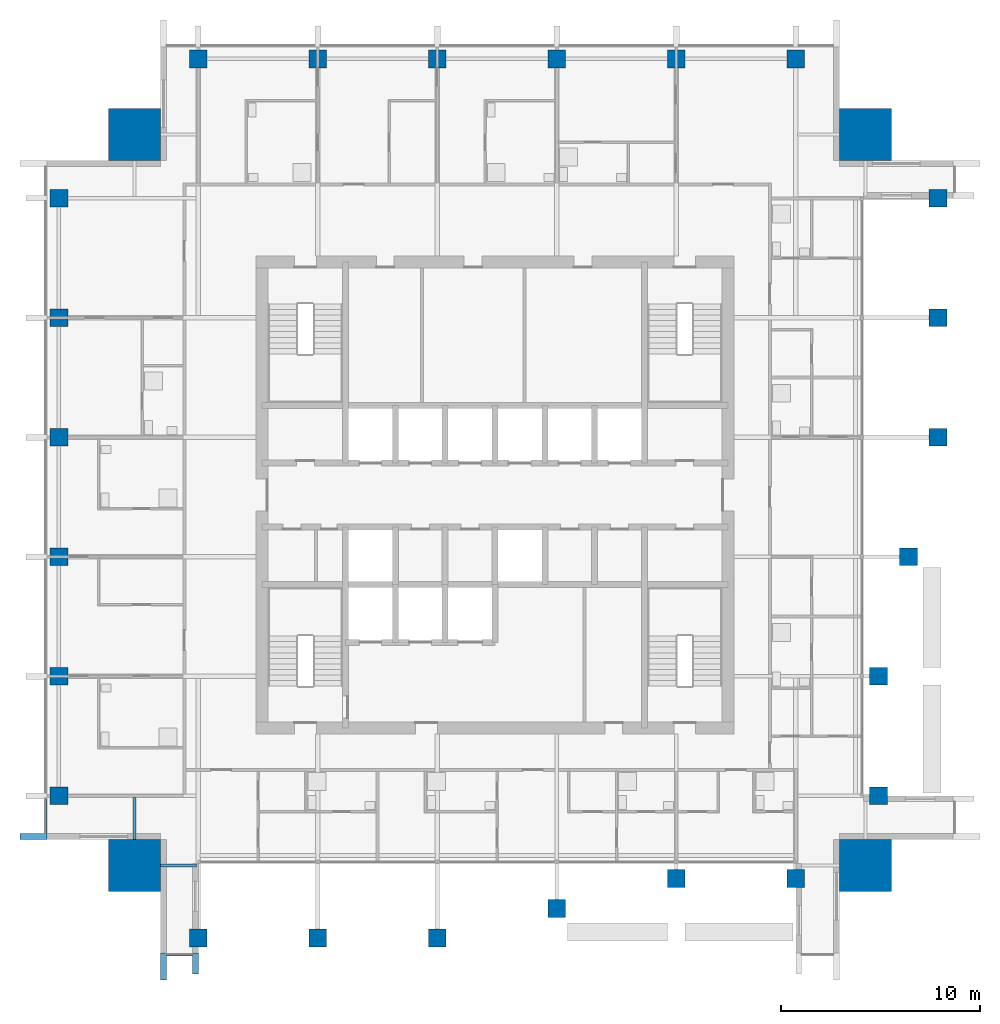
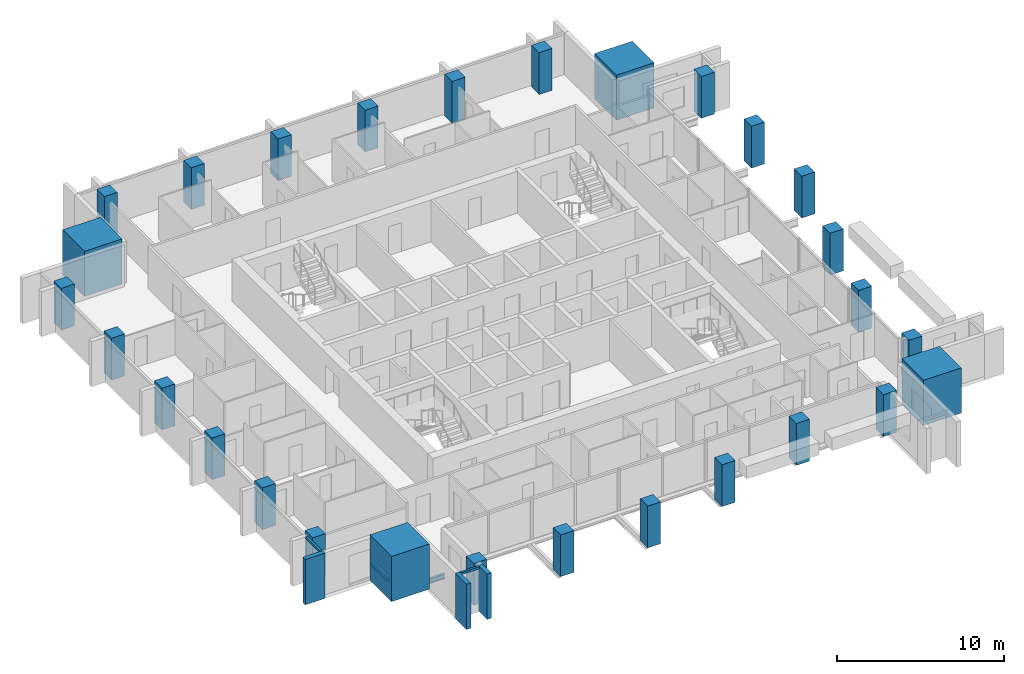
# One storey, part 1 of 14: 28 columns, 5 members, 2 beams, 2 elements without a shape of their own.
"""IFC4 building model written with IfcOpenShell, lengths in metres."""

from ifc_helpers import new_model, si_unit, direction, frame, origin, origin_2d, place, context, subcontext, project, spatial, rectangle, i_section, extrude, material, material_profile, profile_set, type_object, element, aggregate, save


model = new_model("IFC4")

# Units and contexts
model_context = context("Model", 3, precision=1e-05, world=origin(), true_north=direction((0.0, 1.0)))
body_context = subcontext(model_context, "Body", "Model", "MODEL_VIEW")
ifc_project = project(units=[si_unit("LENGTHUNIT", "METRE"), si_unit("AREAUNIT", "SQUARE_METRE"), si_unit("VOLUMEUNIT", "CUBIC_METRE"), si_unit("PLANEANGLEUNIT", "RADIAN"), si_unit("MASSUNIT", "GRAM", prefix="KILO")], contexts=[model_context])

# Site, building, storey
site_placement = place(None, origin())
site = spatial("IfcSite", under=ifc_project, at=site_placement, CompositionType="ELEMENT")
building_placement = place(site_placement, origin())
building = spatial("IfcBuilding", under=site, at=building_placement, Name="Amberfall Residences", CompositionType="ELEMENT")
storey_placement = place(building_placement, frame((0.0, 0.0, 220.0)))
storey = spatial("IfcBuildingStorey", under=building, at=storey_placement, Name="L59", CompositionType="ELEMENT", Elevation=220.0)

# Columns
ifc_material_1 = material(Name="Concrete C55", Category="concrete")
ifc_material_profile_1 = material_profile(ifc_material_1, rectangle(XDim=0.89990234375, YDim=0.89990234375, at=origin_2d()), Name="Column 900 x 900 C55")
ifc_profile_set_1 = profile_set([ifc_material_profile_1], Name="Concrete C55")
column_type_1 = type_object("IfcColumnType", Name="Column 900 x 900 C55", PredefinedType="COLUMN", material=ifc_profile_set_1)
for number, where, z_axis, x_axis, name in (
    (1, (59.60009765625, 23.25, 0.0), (0.0, 0.0, 1.0), (1.0, 0.0, 0.0), "Column C4 L59 S1"),
    (2, (65.60009765625, 23.25, 0.0), (0.0, 0.0, 1.0), (1.0, 0.0, 0.0), "Column C4 L59 S2"),
    (3, (71.60009765625, 23.25, 0.0), (0.0, 0.0, 1.0), (1.0, 0.0, 0.0), "Column C4 L59 S3"),
    (4, (77.60009765625, 24.75, 0.0), (0.0, 0.0, 1.0), (1.0, 0.0, 0.0), "Column C4 L59 S4"),
    (5, (83.60009765625, 26.25, 0.0), (0.0, 0.0, 1.0), (1.0, 0.0, 0.0), "Column C4 L59 S5"),
    (6, (89.60009765625, 26.25, 0.0), (0.0, 0.0, 1.0), (1.0, 0.0, 0.0), "Column C4 L59 S6"),
    (7, (93.75, 30.39990234375, 0.0), (0.0, 0.0, 1.0), (1.0, 0.0, 0.0), "Column C4 L59 E1"),
    (8, (93.75, 36.39990234375, 0.0), (0.0, 0.0, 1.0), (1.0, 0.0, 0.0), "Column C4 L59 E2"),
    (9, (95.25, 42.39990234375, 0.0), (0.0, 0.0, 1.0), (1.0, 0.0, 0.0), "Column C4 L59 E3"),
    (10, (96.75, 48.39990234375, 0.0), (0.0, 0.0, 1.0), (1.0, 0.0, 0.0), "Column C4 L59 E4"),
    (11, (96.75, 54.39990234375, 0.0), (0.0, 0.0, 1.0), (1.0, 0.0, 0.0), "Column C4 L59 E5"),
    (12, (96.75, 60.39990234375, 0.0), (0.0, 0.0, 1.0), (1.0, 0.0, 0.0), "Column C4 L59 E6"),
    (13, (59.60009765625, 67.39990234375, 0.0), (0.0, 0.0, 1.0), (1.0, 0.0, 0.0), "Column C4 L59 N1"),
    (14, (65.60009765625, 67.39990234375, 0.0), (0.0, 0.0, 1.0), (1.0, 0.0, 0.0), "Column C4 L59 N2"),
    (15, (71.60009765625, 67.39990234375, 0.0), (0.0, 0.0, 1.0), (1.0, 0.0, 0.0), "Column C4 L59 N3"),
    (16, (77.60009765625, 67.39990234375, 0.0), (0.0, 0.0, 1.0), (1.0, 0.0, 0.0), "Column C4 L59 N4"),
    (17, (83.60009765625, 67.39990234375, 0.0), (0.0, 0.0, 1.0), (1.0, 0.0, 0.0), "Column C4 L59 N5"),
    (18, (89.60009765625, 67.39990234375, 0.0), (0.0, 0.0, 1.0), (1.0, 0.0, 0.0), "Column C4 L59 N6"),
    (19, (52.60009765625, 30.39990234375, 0.0), (0.0, 0.0, 1.0), (1.0, 0.0, 0.0), "Column C4 L59 W1"),
    (20, (52.60009765625, 36.39990234375, 0.0), (0.0, 0.0, 1.0), (1.0, 0.0, 0.0), "Column C4 L59 W2"),
    (21, (52.60009765625, 42.39990234375, 0.0), (0.0, 0.0, 1.0), (1.0, 0.0, 0.0), "Column C4 L59 W3"),
    (22, (52.60009765625, 48.39990234375, 0.0), (0.0, 0.0, 1.0), (1.0, 0.0, 0.0), "Column C4 L59 W4"),
    (23, (52.60009765625, 54.39990234375, 0.0), (0.0, 0.0, 1.0), (1.0, 0.0, 0.0), "Column C4 L59 W5"),
    (24, (52.60009765625, 60.39990234375, 0.0), (0.0, 0.0, 1.0), (1.0, 0.0, 0.0), "Column C4 L59 W6"),
):
    element("IfcColumn", number, at=place(storey_placement, frame(where, z_axis=z_axis, x_axis=x_axis)), inside=storey, type_object=column_type_1, Name=name, PredefinedType="COLUMN", context=body_context, shape_type="SweptSolid", body=[
        extrude(rectangle(XDim=0.89990234375, YDim=0.89990234375, at=origin_2d()), origin(), (0.0, 0.0, 1.0), 3.050048828125),
    ])
ifc_material_profile_2 = material_profile(ifc_material_1, rectangle(XDim=2.60009765625, YDim=2.60009765625, at=origin_2d()), Name="Mega column 2600 x 2600 C55")
ifc_profile_set_2 = profile_set([ifc_material_profile_2], Name="Concrete C55")
column_type_2 = type_object("IfcColumnType", Name="Mega column 2600 x 2600 C55", PredefinedType="COLUMN", material=ifc_profile_set_2)
for number, where, z_axis, x_axis, name in (
    (25, (56.39990234375, 26.89990234375, 0.0), (0.0, 0.0, 1.0), (1.0, 0.0, 0.0), "Mega column MC8 L59 SW"),
    (26, (93.10009765625, 26.89990234375, 0.0), (0.0, 0.0, 1.0), (1.0, 0.0, 0.0), "Mega column MC8 L59 SE"),
    (27, (93.10009765625, 63.60009765625, 0.0), (0.0, 0.0, 1.0), (1.0, 0.0, 0.0), "Mega column MC8 L59 NE"),
    (28, (56.39990234375, 63.60009765625, 0.0), (0.0, 0.0, 1.0), (1.0, 0.0, 0.0), "Mega column MC8 L59 NW"),
):
    element("IfcColumn", number, at=place(storey_placement, frame(where, z_axis=z_axis, x_axis=x_axis)), inside=storey, type_object=column_type_2, Name=name, PredefinedType="COLUMN", context=body_context, shape_type="SweptSolid", body=[
        extrude(rectangle(XDim=2.60009765625, YDim=2.60009765625, at=origin_2d()), origin(), (0.0, 0.0, 1.0), 3.300048828125),
    ])

# Curtain wall, member
ifc_material_2 = material(Name="Bronze anodised aluminium and glass", Category="aluminium")
curtain_wall_type = type_object("IfcCurtainWallType", Name="Curtain wall CW1 tower unit", PredefinedType="USERDEFINED", material=ifc_material_2)
curtain_wall_1_placement = place(storey_placement, origin())
curtain_wall_1 = element("IfcCurtainWall", 29, at=curtain_wall_1_placement, inside=storey, type_object=curtain_wall_type, Name="Curtain wall L59 S S1", ObjectType="UNITISED CURTAIN WALL", PredefinedType="USERDEFINED")
ifc_material_3 = material(Name="Bronze anodised aluminium", Category="aluminium")
ifc_material_profile_3 = material_profile(ifc_material_3, rectangle(XDim=0.14990234375, YDim=0.14990234375, at=origin_2d()), Name="CW1 transom 150 x 150 bronze")
ifc_profile_set_3 = profile_set([ifc_material_profile_3], Name="Bronze anodised aluminium")
member_type_1 = type_object("IfcMemberType", Name="CW1 transom 150 x 150 bronze", PredefinedType="USERDEFINED", material=ifc_profile_set_3)
member_1_placement = place(storey_placement, frame((58.0, 22.425048828125, 2.97509765625), z_axis=(1.0, 0.0, 0.0), x_axis=(0.0, 1.0, 0.0)))
member_1 = element("IfcMember", 30, at=member_1_placement, type_object=member_type_1, Name="CW1 transom 1.1", ObjectType="TRANSOM", PredefinedType="USERDEFINED", context=body_context, shape_type="SweptSolid", body=[
    extrude(rectangle(XDim=0.14990234375, YDim=0.14990234375, at=origin_2d()), origin(), (0.0, 0.0, 1.0), 1.300048828125),
])

curtain_wall_2_placement = place(storey_placement, origin())
curtain_wall_2 = element("IfcCurtainWall", 31, at=curtain_wall_2_placement, inside=storey, type_object=curtain_wall_type, Name="Curtain wall L59 W W1", ObjectType="UNITISED CURTAIN WALL", PredefinedType="USERDEFINED")
member_2_placement = place(storey_placement, frame((51.925048828125, 30.25, 2.97509765625), z_axis=(0.0, -1.0, 0.0), x_axis=(1.0, 0.0, 0.0)))
member_2 = element("IfcMember", 32, at=member_2_placement, type_object=member_type_1, Name="CW1 transom 7.1", ObjectType="TRANSOM", PredefinedType="USERDEFINED", context=body_context, shape_type="SweptSolid", body=[
    extrude(rectangle(XDim=0.14990234375, YDim=0.14990234375, at=origin_2d()), origin(), (0.0, 0.0, 1.0), 1.75),
])

# Member
ifc_material_profile_4 = material_profile(ifc_material_3, rectangle(XDim=1.35009765625, YDim=0.300048828125, at=origin_2d()), Name="Corner fin 300 x 1350 bronze")
ifc_profile_set_4 = profile_set([ifc_material_profile_4], Name="Bronze anodised aluminium")
member_type_2 = type_object("IfcMemberType", Name="Corner fin 300 x 1350 bronze", PredefinedType="MULLION", material=ifc_profile_set_4)
member_3_placement = place(storey_placement, frame((57.85009765625, 21.824951171875, -0.25), z_axis=(0.0, 0.0, 1.0), x_axis=(0.0, 1.0, 0.0)))
member_3 = element("IfcMember", 33, at=member_3_placement, type_object=member_type_2, Name="CW FIN 1", PredefinedType="MULLION", context=body_context, shape_type="SweptSolid", body=[
    extrude(rectangle(XDim=1.35009765625, YDim=0.300048828125, at=origin_2d()), origin(), (0.0, 0.0, 1.0), 3.300048828125),
])

member_4_placement = place(storey_placement, frame((51.324951171875, 28.35009765625, -0.25), z_axis=(0.0, 0.0, 1.0), x_axis=(1.0, 0.0, 0.0)))
member_4 = element("IfcMember", 34, at=member_4_placement, type_object=member_type_2, Name="CW FIN 8", PredefinedType="MULLION", context=body_context, shape_type="SweptSolid", body=[
    extrude(rectangle(XDim=1.35009765625, YDim=0.300048828125, at=origin_2d()), origin(), (0.0, 0.0, 1.0), 3.300048828125),
])

aggregate(curtain_wall_2, [member_4, member_2])

ifc_material_profile_5 = material_profile(ifc_material_3, rectangle(XDim=1.050048828125, YDim=0.300048828125, at=origin_2d()), Name="Fin 300 x 1050 bronze")
ifc_profile_set_5 = profile_set([ifc_material_profile_5], Name="Bronze anodised aluminium")
member_type_3 = type_object("IfcMemberType", Name="Fin 300 x 1050 bronze", PredefinedType="MULLION", material=ifc_profile_set_5)
member_5_placement = place(storey_placement, frame((59.449951171875, 21.97509765625, -0.25), z_axis=(0.0, 0.0, 1.0), x_axis=(0.0, 1.0, 0.0)))
member_5 = element("IfcMember", 35, at=member_5_placement, type_object=member_type_3, Name="CW FIN 2", PredefinedType="MULLION", context=body_context, shape_type="SweptSolid", body=[
    extrude(rectangle(XDim=1.050048828125, YDim=0.300048828125, at=origin_2d()), origin(), (0.0, 0.0, 1.0), 3.300048828125),
])

aggregate(curtain_wall_1, [member_3, member_5, member_1])

# Beams
ifc_material_4 = material(Name="Steel S355", Category="steel")
ifc_material_profile_6 = material_profile(ifc_material_4, i_section(OverallWidth=0.171142578125, OverallDepth=0.351318359375, WebThickness=0.007080078125, FlangeThickness=0.009765625, FilletRadius=0.01025390625, at=origin_2d()), Name="UB 356x171x45")
ifc_profile_set_6 = profile_set([ifc_material_profile_6], Name="Steel S355")
beam_type = type_object("IfcBeamType", Name="Link beam UB 356x171x45", PredefinedType="BEAM", material=ifc_profile_set_6)
beam_1_placement = place(storey_placement, frame((57.699951171875, 26.89990234375, -0.42578125), z_axis=(1.0, 0.0, 0.0), x_axis=(0.0, 1.0, 0.0)))
element("IfcBeam", 36, at=beam_1_placement, inside=storey, type_object=beam_type, Name="Link beam B7 L59 45", PredefinedType="BEAM", context=body_context, shape_type="SweptSolid", body=[
    extrude(i_section(OverallWidth=0.171142578125, OverallDepth=0.351318359375, WebThickness=0.007080078125, FlangeThickness=0.009765625, FilletRadius=0.01025390625, at=origin_2d()), origin(), (0.0, 0.0, 1.0), 1.8046875),
])
beam_2_placement = place(storey_placement, frame((56.39990234375, 28.199951171875, -0.42578125), z_axis=(0.0, 1.0, 0.0), x_axis=(-1.0, 0.0, 0.0)))
element("IfcBeam", 37, at=beam_2_placement, inside=storey, type_object=beam_type, Name="Link beam B7 L59 46", PredefinedType="BEAM", context=body_context, shape_type="SweptSolid", body=[
    extrude(i_section(OverallWidth=0.171142578125, OverallDepth=0.351318359375, WebThickness=0.007080078125, FlangeThickness=0.009765625, FilletRadius=0.01025390625, at=origin_2d()), origin(), (0.0, 0.0, 1.0), 2.121337890625),
])

save(model, "model.ifc")
